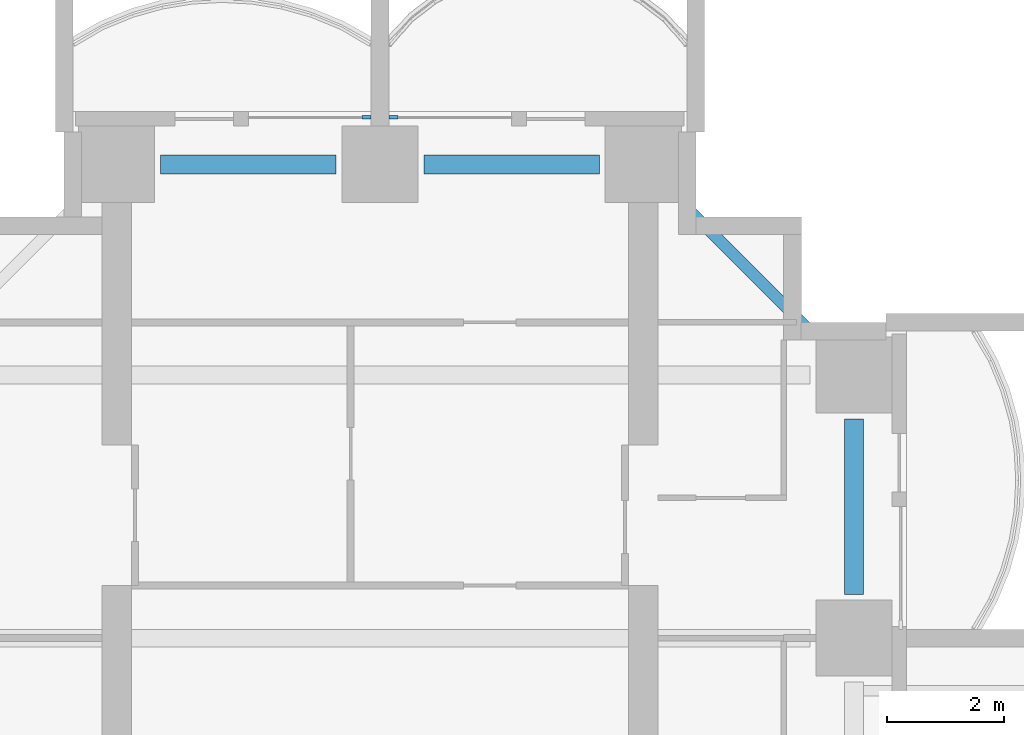
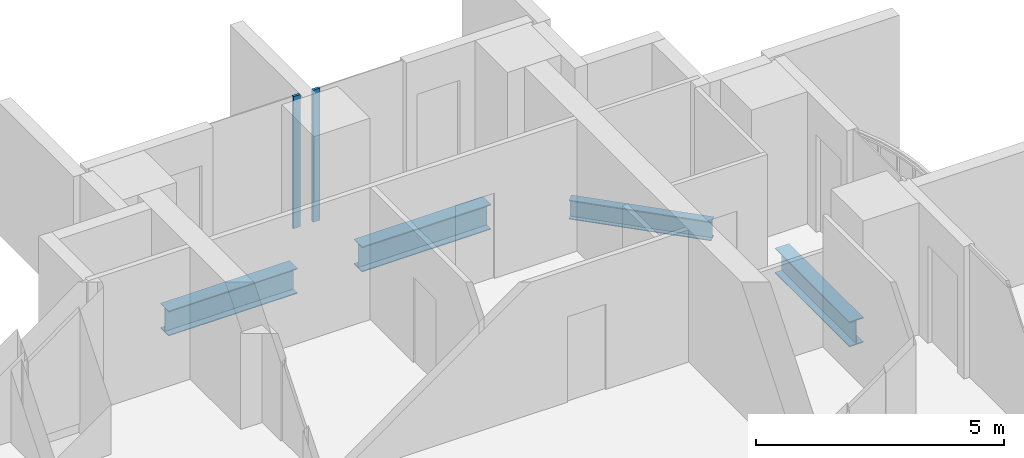
# One storey, part 8 of 23: 4 beams, 2 members, 2 elements without a shape of their own.
"""IFC4 building model written with IfcOpenShell, lengths in metres."""

from ifc_helpers import new_model, si_unit, direction, frame, origin, origin_2d, place, context, subcontext, project, spatial, rectangle, i_section, extrude, material, material_profile, profile_set, type_object, element, aggregate, save


model = new_model("IFC4")

# Units and contexts
model_context = context("Model", 3, precision=1e-05, world=origin(), true_north=direction((0.0, 1.0)))
body_context = subcontext(model_context, "Body", "Model", "MODEL_VIEW")
ifc_project = project(units=[si_unit("LENGTHUNIT", "METRE"), si_unit("AREAUNIT", "SQUARE_METRE"), si_unit("VOLUMEUNIT", "CUBIC_METRE"), si_unit("PLANEANGLEUNIT", "RADIAN"), si_unit("MASSUNIT", "GRAM", prefix="KILO")], contexts=[model_context])

# Site, building, storey
site_placement = place(None, origin())
site = spatial("IfcSite", under=ifc_project, at=site_placement, CompositionType="ELEMENT")
building_placement = place(site_placement, origin())
building = spatial("IfcBuilding", under=site, at=building_placement, Name="Perihelion Cross Residences", CompositionType="ELEMENT")
storey_placement = place(building_placement, frame((0.0, 0.0, 36.5)))
storey = spatial("IfcBuildingStorey", under=building, at=storey_placement, Name="L05", CompositionType="ELEMENT", Elevation=36.5)

# Curtain wall, member
ifc_material_1 = material(Name="Bronze anodised aluminium, tinted glazing", Category="aluminium")
curtain_wall_type = type_object("IfcCurtainWallType", Name="CW1", PredefinedType="NOTDEFINED", material=ifc_material_1)
curtain_wall_1_placement = place(storey_placement, origin())
curtain_wall_1 = element("IfcCurtainWall", 1, at=curtain_wall_1_placement, inside=storey, type_object=curtain_wall_type, Name="Curtain wall CW1 L05 north tip north bay 1", PredefinedType="NOTDEFINED")
ifc_material_2 = material(Name="Bronze anodised aluminium", Category="aluminium")
ifc_material_profile_1 = material_profile(ifc_material_2, rectangle(XDim=0.06005859375, YDim=0.159912109375, at=origin_2d()), Name="CW1 mullion")
ifc_profile_set_1 = profile_set([ifc_material_profile_1], Name="Bronze anodised aluminium")
member_type = type_object("IfcMemberType", Name="CW1 mullion", PredefinedType="MULLION", material=ifc_profile_set_1)
member_1_placement = place(storey_placement, frame((0.22998046875, 26.89990234375, 0.0), z_axis=(0.0, 0.0, 1.0), x_axis=(0.0, -1.0, 0.0)))
member_1 = element("IfcMember", 2, at=member_1_placement, type_object=member_type, Name="CW1 mullion 2", PredefinedType="MULLION", context=body_context, shape_type="SweptSolid", body=[
    extrude(rectangle(XDim=0.06005859375, YDim=0.159912109375, at=origin_2d()), origin(), (0.0, 0.0, 1.0), 3.25),
])
aggregate(curtain_wall_1, [member_1])

curtain_wall_2_placement = place(storey_placement, origin())
curtain_wall_2 = element("IfcCurtainWall", 3, at=curtain_wall_2_placement, inside=storey, type_object=curtain_wall_type, Name="Curtain wall CW1 L05 north tip north bay 2", PredefinedType="NOTDEFINED")
member_2_placement = place(storey_placement, frame((-0.22998046875, 26.89990234375, 0.0), z_axis=(0.0, 0.0, 1.0), x_axis=(0.0, -1.0, 0.0)))
member_2 = element("IfcMember", 4, at=member_2_placement, type_object=member_type, Name="CW1 mullion 1", PredefinedType="MULLION", context=body_context, shape_type="SweptSolid", body=[
    extrude(rectangle(XDim=0.06005859375, YDim=0.159912109375, at=origin_2d()), origin(), (0.0, 0.0, 1.0), 3.25),
])
aggregate(curtain_wall_2, [member_2])

# Beams
ifc_material_3 = material(Name="Steel S355", Category="steel")
ifc_material_profile_2 = material_profile(ifc_material_3, i_section(OverallWidth=0.324951171875, OverallDepth=0.616943359375, WebThickness=0.013916015625, FlangeThickness=0.021484375, at=origin_2d()), Name="W610x174")
ifc_profile_set_2 = profile_set([ifc_material_profile_2], Name="Steel S355")
beam_type_1 = type_object("IfcBeamType", Name="Edge beam W610x174", PredefinedType="SPANDREL", material=ifc_profile_set_2)
for number, where, z_axis, x_axis, name in (
    (5, (8.10009765625, 18.75, -0.55859375), (0.0, 1.0, 0.0), (-1.0, 0.0, 0.0), "Edge beam SB2 L05 no. 19"),
    (6, (3.75, 26.10009765625, -0.55859375), (-1.0, 0.0, 0.0), (0.0, -1.0, 0.0), "Edge beam SB2 L05 no. 15"),
    (7, (-0.75, 26.10009765625, -0.55859375), (-1.0, 0.0, 0.0), (0.0, -1.0, 0.0), "Edge beam SB2 L05 no. 11"),
):
    element("IfcBeam", number, at=place(storey_placement, frame(where, z_axis=z_axis, x_axis=x_axis)), inside=storey, type_object=beam_type_1, Name=name, PredefinedType="SPANDREL", context=body_context, shape_type="SweptSolid", body=[
        extrude(i_section(OverallWidth=0.324951171875, OverallDepth=0.616943359375, WebThickness=0.013916015625, FlangeThickness=0.021484375, at=origin_2d()), origin(), (0.0, 0.0, 1.0), 3.0),
    ])
ifc_material_4 = material(Name="Steel S355", Category="steel")
ifc_material_profile_3 = material_profile(ifc_material_4, i_section(OverallWidth=0.194091796875, OverallDepth=0.469970703125, WebThickness=0.0126953125, FlangeThickness=0.0205078125, at=origin_2d()), Name="W460x106")
ifc_profile_set_3 = profile_set([ifc_material_profile_3], Name="Steel S355")
beam_type_2 = type_object("IfcBeamType", Name="Serration edge beam W460x106", PredefinedType="BEAM", material=ifc_profile_set_3)
beam_placement = place(storey_placement, frame((7.35009765625, 23.25, -0.485107421875), z_axis=(-0.707106781187, 0.707106781187, 0.0), x_axis=(-0.707106781187, -0.707106781187, 0.0)))
element("IfcBeam", 8, at=beam_placement, inside=storey, type_object=beam_type_2, Name="Serration edge beam EB2 L05 no. 4", PredefinedType="BEAM", context=body_context, shape_type="SweptSolid", body=[
    extrude(i_section(OverallWidth=0.194091796875, OverallDepth=0.469970703125, WebThickness=0.0126953125, FlangeThickness=0.0205078125, at=origin_2d()), origin(), (0.0, 0.0, 1.0), 2.969970703125),
])

save(model, "model.ifc")
